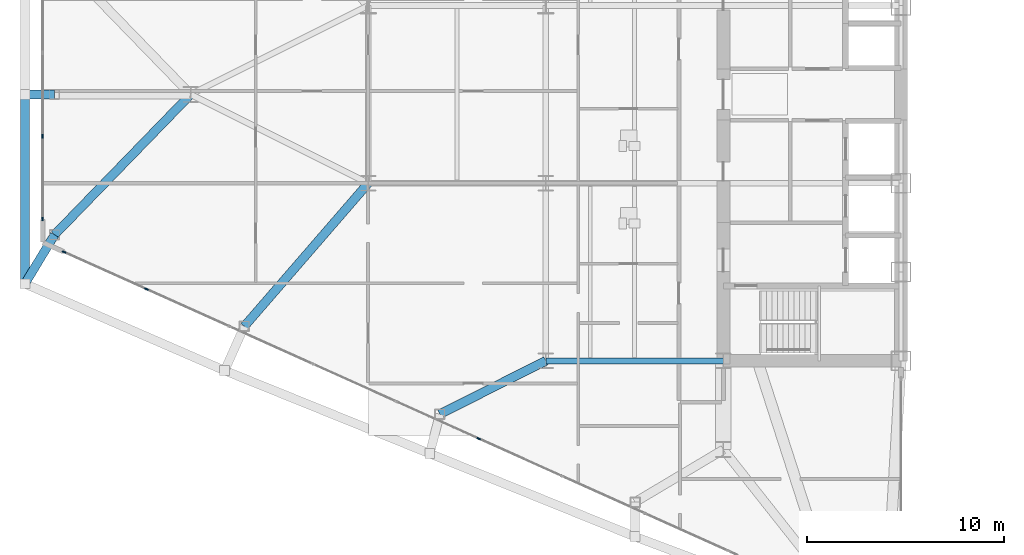
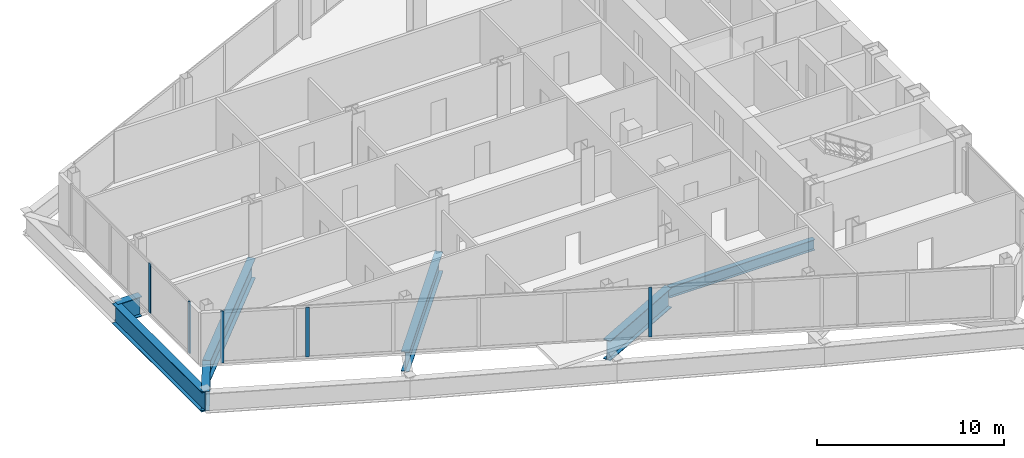
# One storey, part 5 of 29: 7 beams, 5 members, 2 elements without a shape of their own.
"""IFC4 building model written with IfcOpenShell, lengths in metres."""

from ifc_helpers import new_model, si_unit, direction, frame, origin, origin_2d, place, context, subcontext, project, spatial, rectangle, i_section, extrude, source, transform, mapped, material, layer, layer_set, material_profile, profile_set, type_object, type_shapes, element, aggregate, save


model = new_model("IFC4")

# Units and contexts
model_context = context("Model", 3, precision=1e-05, world=origin(), true_north=direction((0.0, 1.0)))
body_context = subcontext(model_context, "Body", "Model", "MODEL_VIEW")
ifc_project = project(units=[si_unit("LENGTHUNIT", "METRE"), si_unit("AREAUNIT", "SQUARE_METRE"), si_unit("VOLUMEUNIT", "CUBIC_METRE"), si_unit("PLANEANGLEUNIT", "RADIAN"), si_unit("MASSUNIT", "GRAM", prefix="KILO")], contexts=[model_context])

# Site, building, storey
site_placement = place(None, origin())
site = spatial("IfcSite", under=ifc_project, at=site_placement, CompositionType="ELEMENT")
building_placement = place(site_placement, origin())
building = spatial("IfcBuilding", under=site, at=building_placement, Name="Seokmaru Belvedere", CompositionType="ELEMENT")
storey_placement = place(building_placement, frame((0.0, 0.0, 62.10009765625)))
storey = spatial("IfcBuildingStorey", under=building, at=storey_placement, Name="L16", CompositionType="ELEMENT", Elevation=62.10009765625)

# Beams
ifc_material_1 = material(Name="Steel SM355 (355 MPa)", Category="steel")
ifc_material_profile_1 = material_profile(ifc_material_1, i_section(OverallWidth=0.300048828125, OverallDepth=0.699951171875, WebThickness=0.012939453125, FlangeThickness=0.02392578125, at=origin_2d()), Name="H-700x300x13x24")
ifc_profile_set_1 = profile_set([ifc_material_profile_1], Name="Steel SM355 (355 MPa)")
beam_type_1 = type_object("IfcBeamType", Name="Primary Floor Girder H-700", PredefinedType="BEAM", material=ifc_profile_set_1)
shared_shape_1 = source(origin(), body_context, "Body", "SweptSolid", [
    extrude(i_section(OverallWidth=0.300048828125, OverallDepth=0.699951171875, WebThickness=0.012939453125, FlangeThickness=0.02392578125, at=origin_2d()), origin(), (0.0, 0.0, 1.0), 9.0),
])
type_shapes(beam_type_1, [shared_shape_1])
beam_1_placement = place(storey_placement, frame((-45.5, -13.5, -0.570068359375), z_axis=(1.0, 0.0, 0.0), x_axis=(0.0, 1.0, 0.0)))
element("IfcBeam", 1, at=beam_1_placement, inside=storey, type_object=beam_type_1, Name="L16 W Wing Primary Girder 1", PredefinedType="BEAM", context=body_context, shape_type="MappedRepresentation", body=[
    mapped(shared_shape_1, transform((0.0, 0.0, 0.0), scale=1.0)),
])
ifc_material_2 = material(Name="Steel HSA650 (650 MPa)", Category="steel")
ifc_material_profile_2 = material_profile(ifc_material_2, i_section(OverallWidth=0.449951171875, OverallDepth=1.300048828125, WebThickness=0.02197265625, FlangeThickness=0.0380859375, at=origin_2d()), Name="BH-1300x450x22x38")
ifc_profile_set_2 = profile_set([ifc_material_profile_2], Name="Steel HSA650 (650 MPa)")
beam_type_2 = type_object("IfcBeamType", Name="Observatory Long-Span Roof Girder BH-1300", PredefinedType="BEAM", material=ifc_profile_set_2)
shared_shape_2 = source(origin(), body_context, "Body", "SweptSolid", [
    extrude(i_section(OverallWidth=0.449951171875, OverallDepth=1.300048828125, WebThickness=0.02197265625, FlangeThickness=0.0380859375, at=origin_2d()), origin(), (0.0, 0.0, 1.0), 9.595703125),
])
beam_2_placement = place(storey_placement, frame((-71.89990234375, -9.595703125, -0.8701171875), z_axis=(0.0, 1.0, 0.0), x_axis=(-1.0, 0.0, 0.0)))
element("IfcBeam", 2, at=beam_2_placement, inside=storey, type_object=beam_type_2, Name="L16 W Faceted Apex Spandrel S", PredefinedType="BEAM", context=body_context, shape_type="MappedRepresentation", body=[
    mapped(shared_shape_2, transform((0.0, 0.0, 0.0), scale=1.0)),
])
shared_shape_3 = source(origin(), body_context, "Body", "SweptSolid", [
    extrude(i_section(OverallWidth=0.449951171875, OverallDepth=1.300048828125, WebThickness=0.02197265625, FlangeThickness=0.0380859375, at=origin_2d()), origin(), (0.0, 0.0, 1.0), 2.9013671875),
])
beam_3_placement = place(storey_placement, frame((-71.89990234375, -9.595703125, -0.8701171875), z_axis=(0.516980789056, 0.855996999847, 0.0), x_axis=(-0.855996999847, 0.516980789056, 0.0)))
element("IfcBeam", 3, at=beam_3_placement, inside=storey, type_object=beam_type_2, Name="L16 W Setback Transfer Girder 5", PredefinedType="BEAM", context=body_context, shape_type="MappedRepresentation", body=[
    mapped(shared_shape_3, transform((0.0, 0.0, 0.0), scale=1.0)),
])
shared_shape_4 = source(origin(), body_context, "Body", "SweptSolid", [
    extrude(i_section(OverallWidth=0.449951171875, OverallDepth=1.300048828125, WebThickness=0.02197265625, FlangeThickness=0.0380859375, at=origin_2d()), origin(), (0.0, 0.0, 1.0), 9.9091796875),
])
beam_4_placement = place(storey_placement, frame((-70.39990234375, -7.112060546875, -0.8701171875), z_axis=(0.6963205089, 0.717730972499, 0.0), x_axis=(-0.717730972499, 0.6963205089, 0.0)))
element("IfcBeam", 4, at=beam_4_placement, inside=storey, type_object=beam_type_2, Name="L16 W Apex Sanity Tie Girder 5", PredefinedType="BEAM", context=body_context, shape_type="MappedRepresentation", body=[
    mapped(shared_shape_4, transform((0.0, 0.0, 0.0), scale=1.0)),
])
shared_shape_5 = source(origin(), body_context, "Body", "SweptSolid", [
    extrude(i_section(OverallWidth=0.449951171875, OverallDepth=1.300048828125, WebThickness=0.02197265625, FlangeThickness=0.0380859375, at=origin_2d()), origin(), (0.0, 0.0, 1.0), 6.017333984375),
])
beam_5_placement = place(storey_placement, frame((-50.875, -16.205322265625, -0.8701171875), z_axis=(0.893239341975, 0.449581447512, 0.0), x_axis=(-0.449581447512, 0.893239341975, 0.0)))
element("IfcBeam", 5, at=beam_5_placement, inside=storey, type_object=beam_type_2, Name="L16 W Flank Setback Back-Span Girder S-2", PredefinedType="BEAM", context=body_context, shape_type="MappedRepresentation", body=[
    mapped(shared_shape_5, transform((0.0, 0.0, 0.0), scale=1.0)),
])
shared_shape_6 = source(origin(), body_context, "Body", "SweptSolid", [
    extrude(i_section(OverallWidth=0.449951171875, OverallDepth=1.300048828125, WebThickness=0.02197265625, FlangeThickness=0.0380859375, at=origin_2d()), origin(), (0.0, 0.0, 1.0), 9.589599609375),
])
beam_6_placement = place(storey_placement, frame((-60.777587890625, -11.749267578125, -0.8701171875), z_axis=(0.654626140929, 0.755952786629, 0.0), x_axis=(-0.755952786629, 0.654626140929, 0.0)))
element("IfcBeam", 6, at=beam_6_placement, inside=storey, type_object=beam_type_2, Name="L16 W Flank Setback Back-Span Girder S-3", PredefinedType="BEAM", context=body_context, shape_type="MappedRepresentation", body=[
    mapped(shared_shape_6, transform((0.0, 0.0, 0.0), scale=1.0)),
])
shared_shape_7 = source(origin(), body_context, "Body", "SweptSolid", [
    extrude(i_section(OverallWidth=0.449951171875, OverallDepth=1.300048828125, WebThickness=0.02197265625, FlangeThickness=0.0380859375, at=origin_2d()), origin(), (0.0, 0.0, 1.0), 1.5),
])
type_shapes(beam_type_2, [shared_shape_2, shared_shape_3, shared_shape_4, shared_shape_5, shared_shape_6, shared_shape_7])
beam_7_placement = place(storey_placement, frame((-71.89990234375, 0.0, -0.8701171875), z_axis=(1.0, 0.0, 0.0), x_axis=(0.0, 1.0, 0.0)))
element("IfcBeam", 7, at=beam_7_placement, inside=storey, type_object=beam_type_2, Name="L16 Apex Mid Setback Step Girder", PredefinedType="BEAM", context=body_context, shape_type="MappedRepresentation", body=[
    mapped(shared_shape_7, transform((0.0, 0.0, 0.0), scale=1.0)),
])

# Curtain wall, member
ifc_material_3 = material(Name="Bronze Triple Insulating Glass", Category="glass")
ifc_layer = layer(ifc_material_3, 0.195068359375)
ifc_layer_set = layer_set([ifc_layer], Name="Bronze Triple Insulating Glass")
curtain_wall_type = type_object("IfcCurtainWallType", Name="Lower-Mid Tapered Curtain Wall System CW-3", PredefinedType="NOTDEFINED", material=ifc_layer_set)
curtain_wall_1_placement = place(storey_placement, origin())
curtain_wall_1 = element("IfcCurtainWall", 8, at=curtain_wall_1_placement, inside=storey, type_object=curtain_wall_type, Name="L16 Curtain Wall WF4", PredefinedType="NOTDEFINED")
ifc_material_4 = material(Name="Anodised Bronze Aluminium", Category="aluminium")
ifc_material_profile_3 = material_profile(ifc_material_4, rectangle(XDim=0.070068359375, YDim=0.195068359375, at=origin_2d()), Name="CW-M-70x195")
ifc_profile_set_3 = profile_set([ifc_material_profile_3], Name="Anodised Bronze Aluminium")
member_type = type_object("IfcMemberType", Name="Bronze Unitised Mullion 70x195", PredefinedType="MULLION", material=ifc_profile_set_3)
shared_shape_8 = source(origin(), body_context, "Body", "SweptSolid", [
    extrude(rectangle(XDim=0.070068359375, YDim=0.195068359375, at=origin_2d()), origin(), (0.0, 0.0, 1.0), 3.3798828125),
])
member_1_placement = place(storey_placement, frame((-71.0, -6.31494140625, 0.0), z_axis=(0.0, 0.0, 1.0), x_axis=(1.0, 0.0, 0.0)))
member_1 = element("IfcMember", 9, at=member_1_placement, type_object=member_type, Name="CW:L16:WF4 Mullion 4", PredefinedType="MULLION", context=body_context, shape_type="MappedRepresentation", body=[
    mapped(shared_shape_8, transform((0.0, 0.0, 0.0), scale=1.0)),
])

curtain_wall_2_placement = place(storey_placement, origin())
curtain_wall_2 = element("IfcCurtainWall", 10, at=curtain_wall_2_placement, inside=storey, type_object=curtain_wall_type, Name="L16 Curtain Wall WF5", PredefinedType="NOTDEFINED")
member_2_placement = place(storey_placement, frame((-69.91943359375, -7.986328125, 0.0), z_axis=(0.0, 0.0, 1.0), x_axis=(0.41036554765, 0.91192111353, 0.0)))
member_2 = element("IfcMember", 11, at=member_2_placement, type_object=member_type, Name="CW:L16:WF5 Mullion 1", PredefinedType="MULLION", context=body_context, shape_type="MappedRepresentation", body=[
    mapped(shared_shape_8, transform((0.0, 0.0, 0.0), scale=1.0)),
])

# Member
shared_shape_9 = source(origin(), body_context, "Body", "SweptSolid", [
    extrude(rectangle(XDim=0.070068359375, YDim=0.195068359375, at=origin_2d()), origin(), (0.0, 0.0, 1.0), 3.239990234375),
])
type_shapes(member_type, [shared_shape_8, shared_shape_9])
member_3_placement = place(storey_placement, frame((-71.0, -2.11669921875, 0.06982421875), z_axis=(0.0, 0.0, 1.0), x_axis=(1.0, 0.0, 0.0)))
member_3 = element("IfcMember", 12, at=member_3_placement, type_object=member_type, Name="CW:L16:WF4 Mullion 3", PredefinedType="MULLION", context=body_context, shape_type="MappedRepresentation", body=[
    mapped(shared_shape_9, transform((0.0, 0.0, 0.0), scale=1.0)),
])

aggregate(curtain_wall_1, [member_3, member_1])

member_4_placement = place(storey_placement, frame((-65.739990234375, -9.866943359375, 0.06982421875), z_axis=(0.0, 0.0, 1.0), x_axis=(0.41036554765, 0.91192111353, 0.0)))
member_4 = element("IfcMember", 13, at=member_4_placement, type_object=member_type, Name="CW:L16:WF5 Mullion 2", PredefinedType="MULLION", context=body_context, shape_type="MappedRepresentation", body=[
    mapped(shared_shape_9, transform((0.0, 0.0, 0.0), scale=1.0)),
])

member_5_placement = place(storey_placement, frame((-48.894287109375, -17.447509765625, 0.06982421875), z_axis=(0.0, 0.0, 1.0), x_axis=(0.41036554765, 0.91192111353, 0.0)))
member_5 = element("IfcMember", 14, at=member_5_placement, type_object=member_type, Name="CW:L16:WF5 Mullion 6", PredefinedType="MULLION", context=body_context, shape_type="MappedRepresentation", body=[
    mapped(shared_shape_9, transform((0.0, 0.0, 0.0), scale=1.0)),
])

aggregate(curtain_wall_2, [member_2, member_4, member_5])

save(model, "model.ifc")
